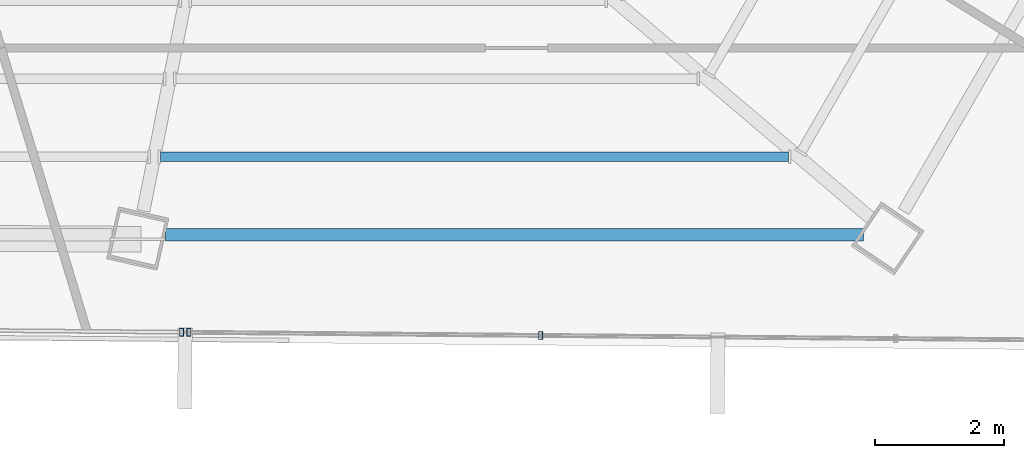
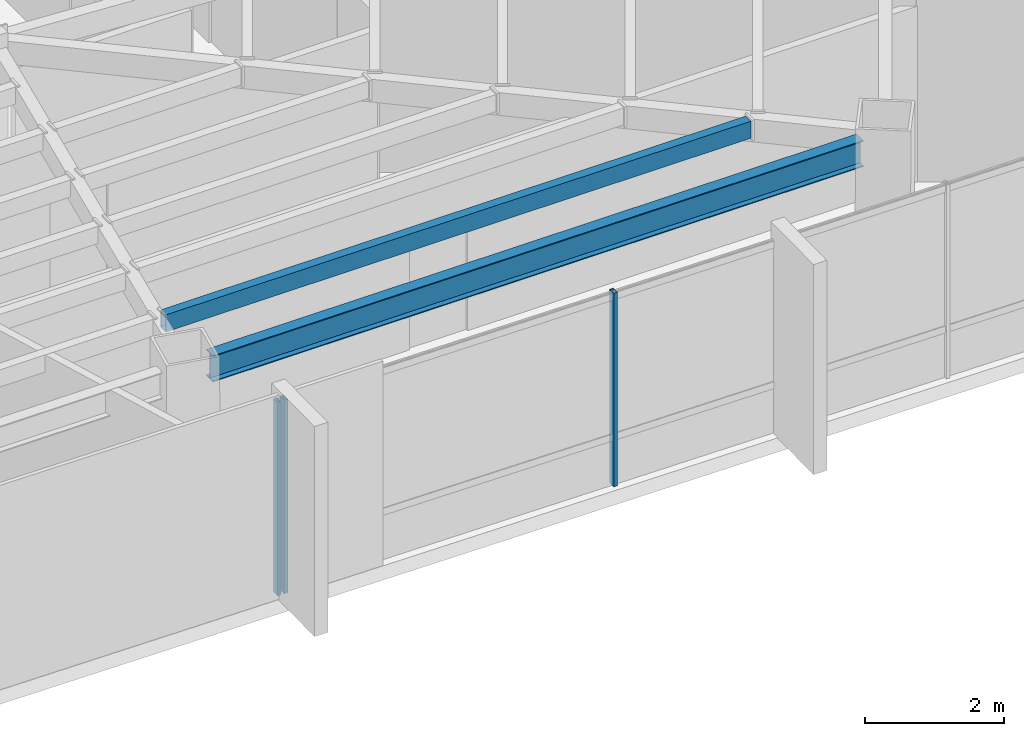
# One storey, part 21 of 49: 3 members, 2 beams, 2 elements without a shape of their own.
"""IFC4 building model written with IfcOpenShell, lengths in metres."""

from ifc_helpers import new_model, si_unit, direction, frame, origin, origin_2d, place, context, subcontext, project, spatial, hollow_rectangle, i_section, extrude, source, transform, mapped, material, material_profile, profile_set, type_object, type_shapes, element, aggregate, save


model = new_model("IFC4")

# Units and contexts
model_context = context("Model", 3, precision=1e-05, world=origin(), true_north=direction((0.0, 1.0)))
body_context = subcontext(model_context, "Body", "Model", "MODEL_VIEW")
ifc_project = project(units=[si_unit("LENGTHUNIT", "METRE"), si_unit("AREAUNIT", "SQUARE_METRE"), si_unit("VOLUMEUNIT", "CUBIC_METRE"), si_unit("PLANEANGLEUNIT", "RADIAN"), si_unit("MASSUNIT", "GRAM", prefix="KILO")], contexts=[model_context])

# Site, building, storey
site_placement = place(None, origin())
site = spatial("IfcSite", under=ifc_project, at=site_placement, CompositionType="ELEMENT")
building_placement = place(site_placement, origin())
building = spatial("IfcBuilding", under=site, at=building_placement, Name="Caelisora Broadcast Tower", CompositionType="ELEMENT")
storey_placement = place(building_placement, frame((0.0, 0.0, 233.5)))
storey = spatial("IfcBuildingStorey", under=building, at=storey_placement, Name="L61", CompositionType="ELEMENT", Elevation=233.5)

# Beams
ifc_material_1 = material(Name="Steel Grade 350 (AS/NZS 3679.1)", Category="steel")
ifc_material_profile_1 = material_profile(ifc_material_1, i_section(OverallWidth=0.19091796875, OverallDepth=0.46044921875, WebThickness=0.010009765625, FlangeThickness=0.01611328125, at=origin_2d()), Name="Steel Grade 350 (AS/NZS 3679.1)")
ifc_profile_set_1 = profile_set([ifc_material_profile_1], Name="Steel Grade 350 (AS/NZS 3679.1)")
beam_type_1 = type_object("IfcBeamType", Name="PG06", PredefinedType="BEAM", material=ifc_profile_set_1)
shared_shape_1 = source(origin(), body_context, "Body", "SweptSolid", [
    extrude(i_section(OverallWidth=0.19091796875, OverallDepth=0.46044921875, WebThickness=0.010009765625, FlangeThickness=0.01611328125, at=origin_2d()), origin(), (0.0, 0.0, 1.0), 10.804443359375),
])
type_shapes(beam_type_1, [shared_shape_1])
beam_1_placement = place(storey_placement, frame((44.234130859375, 8.95068359375, 3.169921875), z_axis=(1.0, 0.0, 0.0), x_axis=(0.0, 1.0, 0.0)))
element("IfcBeam", 1, at=beam_1_placement, inside=storey, type_object=beam_type_1, Name="L61 beam PG06", PredefinedType="BEAM", context=body_context, shape_type="MappedRepresentation", body=[
    mapped(shared_shape_1, transform((0.0, 0.0, 0.0), scale=1.0)),
])
ifc_material_2 = material(Name="Steel Grade 350 (AS/NZS 1163 C350L0)", Category="steel")
ifc_material_profile_2 = material_profile(ifc_material_2, hollow_rectangle(XDim=0.14990234375, YDim=0.300048828125, WallThickness=0.010009765625, at=origin_2d()), Name="Steel Grade 350 (AS/NZS 1163 C350L0)")
ifc_profile_set_2 = profile_set([ifc_material_profile_2], Name="Steel Grade 350 (AS/NZS 1163 C350L0)")
beam_type_2 = type_object("IfcBeamType", Name="SB05", PredefinedType="JOIST", material=ifc_profile_set_2)
shared_shape_2 = source(origin(), body_context, "Body", "SweptSolid", [
    extrude(hollow_rectangle(XDim=0.14990234375, YDim=0.300048828125, WallThickness=0.010009765625, at=origin_2d()), origin(), (0.0, 0.0, 1.0), 9.7236328125),
])
type_shapes(beam_type_2, [shared_shape_2])
beam_2_placement = place(storey_placement, frame((44.157470703125, 10.15771484375, 3.25), z_axis=(1.0, 0.0, 0.0), x_axis=(0.0, 1.0, 0.0)))
element("IfcBeam", 2, at=beam_2_placement, inside=storey, type_object=beam_type_2, Name="L61 beam SB05", PredefinedType="JOIST", context=body_context, shape_type="MappedRepresentation", body=[
    mapped(shared_shape_2, transform((0.0, 0.0, 0.0), scale=1.0)),
])

# Curtain wall, members
ifc_material_3 = material(Name="Unitised Aluminium and Low-E Glass Curtain Wall", Category="glass")
curtain_wall_type_1 = type_object("IfcCurtainWallType", Name="CW-Z5", PredefinedType="NOTDEFINED", material=ifc_material_3)
curtain_wall_1_placement = place(storey_placement, origin())
curtain_wall_1 = element("IfcCurtainWall", 3, at=curtain_wall_1_placement, inside=storey, type_object=curtain_wall_type_1, Name="L61 curtain wall CW-Z5", PredefinedType="NOTDEFINED")
ifc_material_4 = material(Name="Aluminium 6063-T6 Anodised Terracotta Bronze", Category="aluminium")
ifc_material_profile_3 = material_profile(ifc_material_4, hollow_rectangle(XDim=0.06005859375, YDim=0.1201171875, WallThickness=0.0029296875, at=origin_2d()), Name="Aluminium 6063-T6 Anodised Terracotta Bronze")
ifc_profile_set_3 = profile_set([ifc_material_profile_3], Name="Aluminium 6063-T6 Anodised Terracotta Bronze")
member_type = type_object("IfcMemberType", Name="CWM-04", PredefinedType="MULLION", material=ifc_profile_set_3)
shared_shape_3 = source(origin(), body_context, "Body", "SweptSolid", [
    extrude(hollow_rectangle(XDim=0.06005859375, YDim=0.1201171875, WallThickness=0.0029296875, at=origin_2d()), origin(), (0.0, 0.0, 1.0), 3.39990234375),
])
type_shapes(member_type, [shared_shape_3])
member_1_placement = place(storey_placement, frame((50.041015625, 7.390869140625, 0.0), z_axis=(0.0, 0.0, 1.0), x_axis=(1.0, 0.0, 0.0)))
member_1 = element("IfcMember", 4, at=member_1_placement, type_object=member_type, Name="L61-CW-B05 mullion #2", PredefinedType="MULLION", context=body_context, shape_type="MappedRepresentation", body=[
    mapped(shared_shape_3, transform((0.0, 0.0, 0.0), scale=1.0)),
])
member_2_placement = place(storey_placement, frame((44.593994140625, 7.439208984375, 0.0), z_axis=(0.0, 0.0, 1.0), x_axis=(1.0, 0.0, 0.0)))
member_2 = element("IfcMember", 5, at=member_2_placement, type_object=member_type, Name="L61-CW-B05 mullion #3", PredefinedType="MULLION", context=body_context, shape_type="MappedRepresentation", body=[
    mapped(shared_shape_3, transform((0.0, 0.0, 0.0), scale=1.0)),
])
aggregate(curtain_wall_1, [member_1, member_2])

# Curtain wall, member
ifc_material_5 = material(Name="Unitised Aluminium Insulated Shadow-Box Spandrel Curtain Wall", Category="aluminium")
curtain_wall_type_2 = type_object("IfcCurtainWallType", Name="CW-SP3", PredefinedType="NOTDEFINED", material=ifc_material_5)
curtain_wall_2_placement = place(storey_placement, origin())
curtain_wall_2 = element("IfcCurtainWall", 6, at=curtain_wall_2_placement, inside=storey, type_object=curtain_wall_type_2, Name="L61 curtain wall CW-SP3", PredefinedType="NOTDEFINED")
member_3_placement = place(storey_placement, frame((44.48388671875, 7.440185546875, 0.0), z_axis=(0.0, 0.0, 1.0), x_axis=(1.0, 0.0, 0.0)))
member_3 = element("IfcMember", 7, at=member_3_placement, type_object=member_type, Name="L61-CW-B06 mullion #0", PredefinedType="MULLION", context=body_context, shape_type="MappedRepresentation", body=[
    mapped(shared_shape_3, transform((0.0, 0.0, 0.0), scale=1.0)),
])
aggregate(curtain_wall_2, [member_3])

save(model, "model.ifc")
